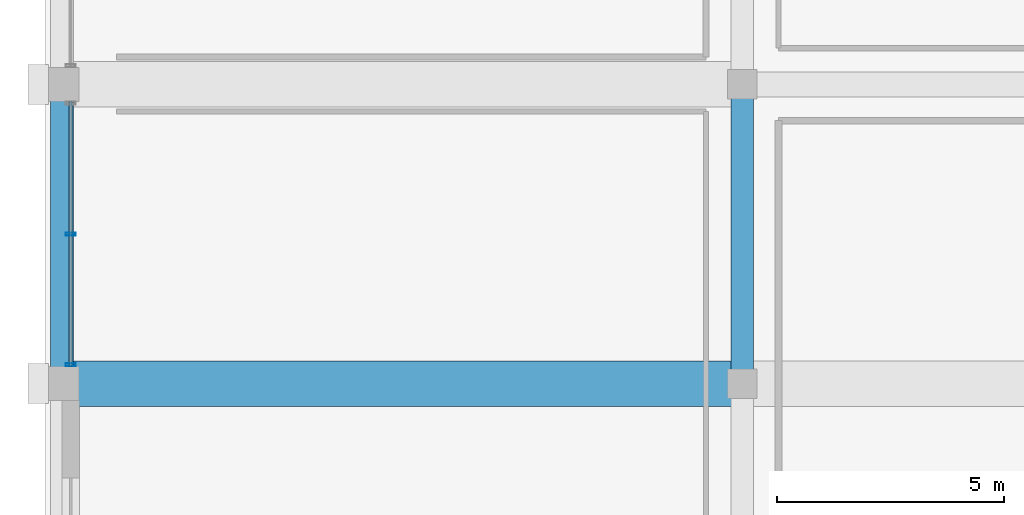
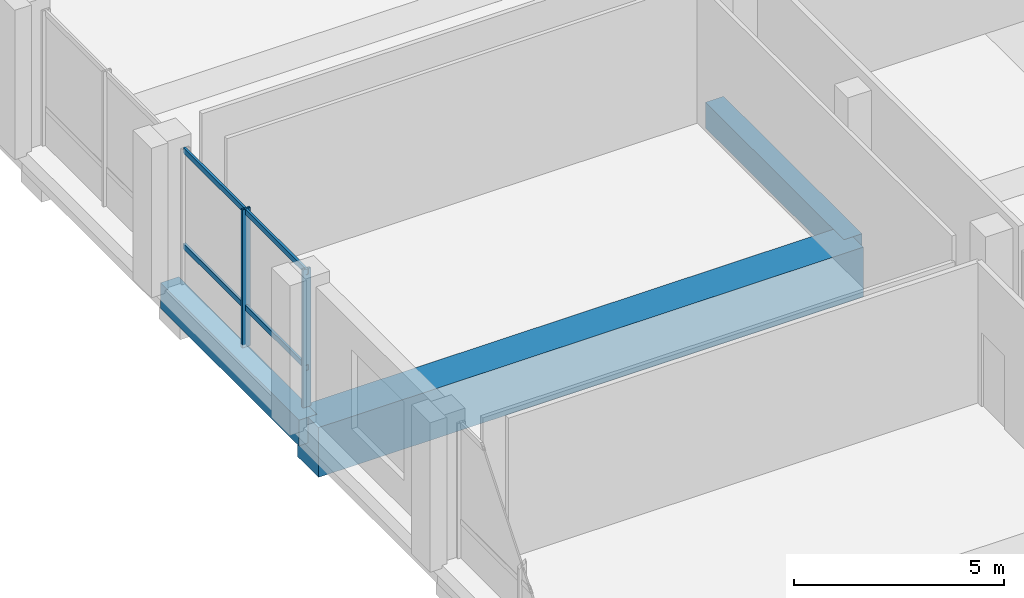
# One storey, part 17 of 64: 4 members, 3 beams, 1 element without a shape of its own.
"""IFC4 building model written with IfcOpenShell, lengths in metres."""

from ifc_helpers import new_model, si_unit, direction, frame, origin, origin_2d, place, context, subcontext, project, spatial, rectangle, hollow_rectangle, extrude, material, material_profile, profile_set, type_object, element, aggregate, save


model = new_model("IFC4")

# Units and contexts
model_context = context("Model", 3, precision=1e-05, world=origin(), true_north=direction((0.0, 1.0)))
body_context = subcontext(model_context, "Body", "Model", "MODEL_VIEW")
ifc_project = project(units=[si_unit("LENGTHUNIT", "METRE"), si_unit("AREAUNIT", "SQUARE_METRE"), si_unit("VOLUMEUNIT", "CUBIC_METRE"), si_unit("PLANEANGLEUNIT", "RADIAN"), si_unit("MASSUNIT", "GRAM", prefix="KILO")], contexts=[model_context])

# Site, building, storey
site_placement = place(None, origin())
site = spatial("IfcSite", under=ifc_project, at=site_placement, CompositionType="ELEMENT")
building_placement = place(site_placement, origin())
building = spatial("IfcBuilding", under=site, at=building_placement, Name="Akrevak Sports Hall", CompositionType="ELEMENT")
storey_placement = place(building_placement, frame((0.0, 0.0, 4.60009765625)))
storey = spatial("IfcBuildingStorey", under=building, at=storey_placement, Name="L01", CompositionType="ELEMENT", Elevation=4.60009765625)

# Curtain wall, members
ifc_material_1 = material(Name="Anodized Bronze Aluminium & Low-E Glass", Category="aluminium")
curtain_wall_type = type_object("IfcCurtainWallType", Name="ARC-CW-POD-64x44", PredefinedType="NOTDEFINED", material=ifc_material_1)
curtain_wall_placement = place(storey_placement, origin())
curtain_wall = element("IfcCurtainWall", 1, at=curtain_wall_placement, inside=storey, type_object=curtain_wall_type, Name="Curtain Wall CW-L01-W05", PredefinedType="NOTDEFINED")
ifc_material_2 = material(Name="Anodized Bronze Aluminium", Category="aluminium")
ifc_material_profile_1 = material_profile(ifc_material_2, hollow_rectangle(XDim=0.06494140625, YDim=0.219970703125, WallThickness=0.00439453125, at=origin_2d()), Name="CWM 65x220", Category="aluminium")
ifc_profile_set_1 = profile_set([ifc_material_profile_1], Name="Anodized Bronze Aluminium")
member_type_1 = type_object("IfcMemberType", Name="ARC-CWM-70x160", PredefinedType="MULLION", material=ifc_profile_set_1)
member_1_placement = place(storey_placement, frame((0.18994140625, 45.300048828125, 0.0), z_axis=(0.0, 0.0, 1.0), x_axis=(0.0, -1.0, 0.0)))
member_1 = element("IfcMember", 2, at=member_1_placement, type_object=member_type_1, Name="Curtain Wall Mullion CW-L01-W05-M2", PredefinedType="MULLION", context=body_context, shape_type="SweptSolid", body=[
    extrude(hollow_rectangle(XDim=0.06494140625, YDim=0.219970703125, WallThickness=0.00439453125, at=origin_2d()), origin(), (0.0, 0.0, 1.0), 4.02001953125),
])
member_2_placement = place(storey_placement, frame((0.18994140625, 42.4150390625, 0.0), z_axis=(0.0, 0.0, 1.0), x_axis=(0.0, -1.0, 0.0)))
member_2 = element("IfcMember", 3, at=member_2_placement, type_object=member_type_1, Name="Curtain Wall Mullion CW-L01-W05-M3", PredefinedType="MULLION", context=body_context, shape_type="SweptSolid", body=[
    extrude(hollow_rectangle(XDim=0.06494140625, YDim=0.219970703125, WallThickness=0.00439453125, at=origin_2d()), origin(), (0.0, 0.0, 1.0), 4.02001953125),
])
ifc_material_profile_2 = material_profile(ifc_material_2, hollow_rectangle(XDim=0.06494140625, YDim=0.159912109375, WallThickness=0.00390625, at=origin_2d()), Name="CWT 65x160", Category="aluminium")
ifc_profile_set_2 = profile_set([ifc_material_profile_2], Name="Anodized Bronze Aluminium")
member_type_2 = type_object("IfcMemberType", Name="ARC-CWT-70x130", PredefinedType="USERDEFINED", material=ifc_profile_set_2)
member_3_placement = place(storey_placement, frame((0.18994140625, 48.22509765625, 1.14990234375), z_axis=(0.0, -1.0, 0.0), x_axis=(1.0, 0.0, 0.0)))
member_3 = element("IfcMember", 4, at=member_3_placement, type_object=member_type_2, Name="Curtain Wall Transom CW-L01-W05-T1", ObjectType="TRANSOM", PredefinedType="USERDEFINED", context=body_context, shape_type="SweptSolid", body=[
    extrude(hollow_rectangle(XDim=0.06494140625, YDim=0.159912109375, WallThickness=0.00390625, at=origin_2d()), origin(), (0.0, 0.0, 1.0), 5.85009765625),
])
member_4_placement = place(storey_placement, frame((0.18994140625, 48.22509765625, 3.93994140625), z_axis=(0.0, -1.0, 0.0), x_axis=(1.0, 0.0, 0.0)))
member_4 = element("IfcMember", 5, at=member_4_placement, type_object=member_type_2, Name="Curtain Wall Transom CW-L01-W05-T2", ObjectType="TRANSOM", PredefinedType="USERDEFINED", context=body_context, shape_type="SweptSolid", body=[
    extrude(hollow_rectangle(XDim=0.06494140625, YDim=0.159912109375, WallThickness=0.00390625, at=origin_2d()), origin(), (0.0, 0.0, 1.0), 5.85009765625),
])
aggregate(curtain_wall, [member_1, member_2, member_3, member_4])

# Beams
ifc_material_3 = material(Name="Concrete C50/60", Category="concrete")
ifc_material_profile_3 = material_profile(ifc_material_3, rectangle(XDim=1.0, YDim=1.449951171875, at=origin_2d()), Name="BM 1000x1450", Category="concrete")
ifc_profile_set_3 = profile_set([ifc_material_profile_3], Name="Concrete C50/60")
beam_type_1 = type_object("IfcBeamType", Name="STR-BM-LG1000x1450", PredefinedType="BEAM", material=ifc_profile_set_3)
beam_placement = place(storey_placement, frame((0.0, 42.0, -0.72509765625), z_axis=(1.0, 0.0, 0.0), x_axis=(0.0, 1.0, 0.0)))
element("IfcBeam", 6, at=beam_placement, inside=storey, type_object=beam_type_1, Name="Girder G/1-3 (L01)", PredefinedType="BEAM", context=body_context, shape_type="SweptSolid", body=[
    extrude(rectangle(XDim=1.0, YDim=1.449951171875, at=origin_2d()), origin(), (0.0, 0.0, 1.0), 15.0),
])
ifc_material_4 = material(Name="Concrete C40/50", Category="concrete")
ifc_material_profile_4 = material_profile(ifc_material_4, rectangle(XDim=0.5, YDim=0.75, at=origin_2d()), Name="BM 500x750", Category="concrete")
ifc_profile_set_4 = profile_set([ifc_material_profile_4], Name="Concrete C40/50")
beam_type_2 = type_object("IfcBeamType", Name="STR-BM-RC500x750", PredefinedType="BEAM", material=ifc_profile_set_4)
for number, where, z_axis, x_axis, name in (
    (7, (0.0, 42.0, -0.375), (0.0, 1.0, 0.0), (-1.0, 0.0, 0.0), "Girder 1/G-H (L01)"),
    (8, (15.0, 42.0, -0.375), (0.0, 1.0, 0.0), (-1.0, 0.0, 0.0), "Girder 3/G-H (L01)"),
):
    element("IfcBeam", number, at=place(storey_placement, frame(where, z_axis=z_axis, x_axis=x_axis)), inside=storey, type_object=beam_type_2, Name=name, PredefinedType="BEAM", context=body_context, shape_type="SweptSolid", body=[
        extrude(rectangle(XDim=0.5, YDim=0.75, at=origin_2d()), origin(), (0.0, 0.0, 1.0), 6.60009765625),
    ])

save(model, "model.ifc")
